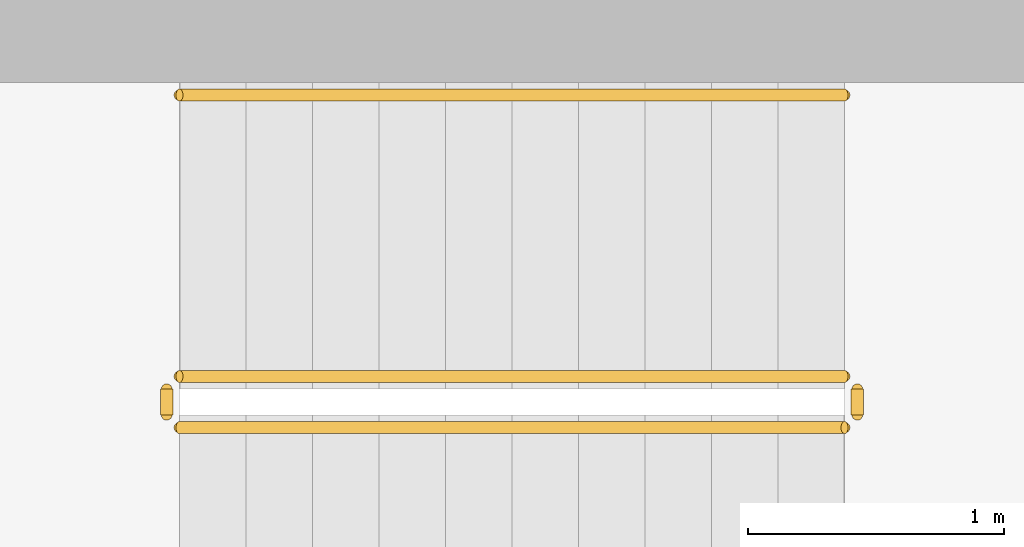
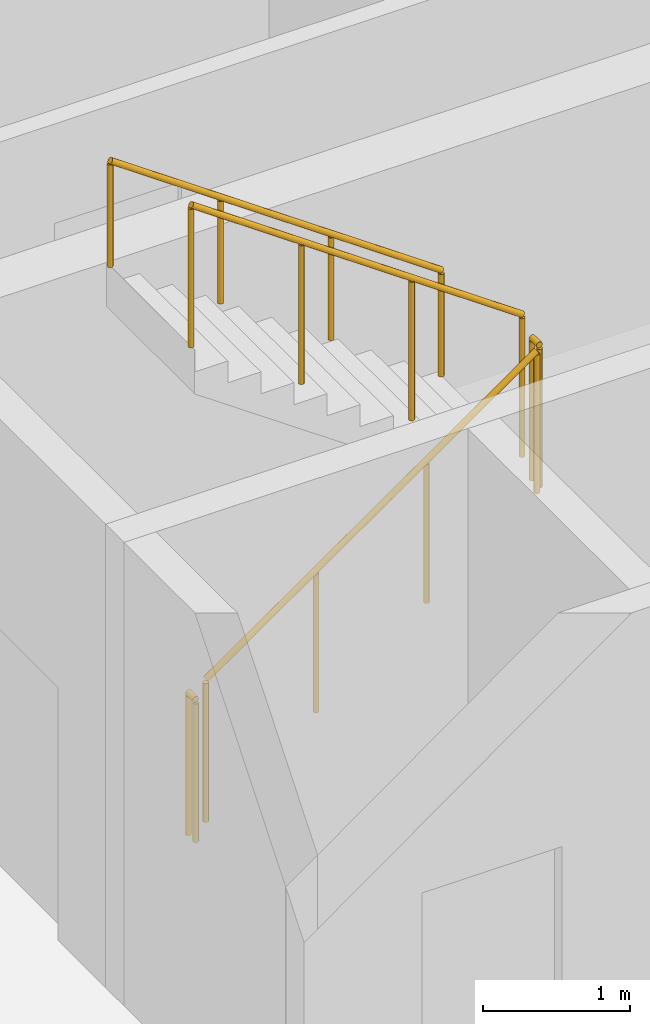
# One storey, part 16 of 20: 5 railings.
"""IFC4 building model written with IfcOpenShell, lengths in metres."""

from ifc_helpers import new_model, si_unit, direction, frame, origin, origin_2d, place, context, subcontext, project, spatial, circle, extrude, material, type_object, element, save


model = new_model("IFC4")

# Units and contexts
model_context = context("Model", 3, precision=1e-05, world=origin(), true_north=direction((0.0, 1.0)))
body_context = subcontext(model_context, "Body", "Model", "MODEL_VIEW")
ifc_project = project(units=[si_unit("LENGTHUNIT", "METRE"), si_unit("AREAUNIT", "SQUARE_METRE"), si_unit("VOLUMEUNIT", "CUBIC_METRE"), si_unit("PLANEANGLEUNIT", "RADIAN"), si_unit("MASSUNIT", "GRAM", prefix="KILO")], contexts=[model_context])

# Site, building, storey
site_placement = place(None, origin())
site = spatial("IfcSite", under=ifc_project, at=site_placement, CompositionType="ELEMENT")
building_placement = place(site_placement, origin())
building = spatial("IfcBuilding", under=site, at=building_placement, Name="Sahrelin Media Tower", CompositionType="ELEMENT")
storey_placement = place(building_placement, frame((0.0, 0.0, 213.60009765625)))
storey = spatial("IfcBuildingStorey", under=building, at=storey_placement, Name="L45", CompositionType="ELEMENT", Elevation=213.60009765625)

# Railings
ifc_material = material(Name="Steel S355", Category="steel")
railing_type_1 = type_object("IfcRailingType", Name="Stair guard 1200", PredefinedType="GUARDRAIL", material=ifc_material)
railing_1_placement = place(storey_placement, frame((-7.675048828125, 5.25, 0.181640625)))
element("IfcRailing", 1, at=railing_1_placement, inside=storey, type_object=railing_type_1, Name="L45 ST1 stair guard 1", PredefinedType="GUARDRAIL", context=body_context, shape_type="SweptSolid", body=[
    extrude(circle(Radius=0.02392578125, at=origin_2d()), frame((0.0, 0.0, 1.17578125), z_axis=(0.819484887739, 0.0, 0.573100792852), x_axis=(0.0, 1.0, 0.0)), (0.0, 0.0, 1.0), 3.1728515625),
    extrude(circle(Radius=0.02099609375, at=origin_2d()), origin(), (0.0, 0.0, 1.0), 1.15185546875),
    extrude(circle(Radius=0.02099609375, at=origin_2d()), frame((0.86669921875, 0.0, 0.606201171875)), (0.0, 0.0, 1.0), 1.15185546875),
    extrude(circle(Radius=0.02099609375, at=origin_2d()), frame((1.7333984375, 0.0, 1.212158203125)), (0.0, 0.0, 1.0), 1.15185546875),
    extrude(circle(Radius=0.02099609375, at=origin_2d()), frame((2.60009765625, 0.0, 1.818359375)), (0.0, 0.0, 1.0), 1.15185546875),
])
railing_2_placement = place(storey_placement, frame((-5.02490234375, 5.300048828125, 2.0)))
element("IfcRailing", 2, at=railing_2_placement, inside=storey, type_object=railing_type_1, Name="L45 ST1 stair guard 2", PredefinedType="GUARDRAIL", context=body_context, shape_type="SweptSolid", body=[
    extrude(circle(Radius=0.02392578125, at=origin_2d()), frame((0.0, 0.0, 1.17578125), z_axis=(0.0, 1.0, 0.0), x_axis=(-1.0, 0.0, 0.0)), (0.0, 0.0, 1.0), 0.099853515625),
    extrude(circle(Radius=0.02099609375, at=origin_2d()), origin(), (0.0, 0.0, 1.0), 1.15185546875),
    extrude(circle(Radius=0.02099609375, at=origin_2d()), frame((0.0, 0.099853515625, 0.0)), (0.0, 0.0, 1.0), 1.15185546875),
])
railing_3_placement = place(storey_placement, frame((-5.074951171875, 5.449951171875, 2.181640625)))
element("IfcRailing", 3, at=railing_3_placement, inside=storey, type_object=railing_type_1, Name="L45 ST1 stair guard 3", PredefinedType="GUARDRAIL", context=body_context, shape_type="SweptSolid", body=[
    extrude(circle(Radius=0.02392578125, at=origin_2d()), frame((0.0, 0.0, 1.17578125), z_axis=(-0.819484887739, 0.0, 0.573100792852), x_axis=(0.0, -1.0, 0.0)), (0.0, 0.0, 1.0), 3.1728515625),
    extrude(circle(Radius=0.02099609375, at=origin_2d()), origin(), (0.0, 0.0, 1.0), 1.15185546875),
    extrude(circle(Radius=0.02099609375, at=origin_2d()), frame((-0.86669921875, 0.0, 0.606201171875)), (0.0, 0.0, 1.0), 1.15185546875),
    extrude(circle(Radius=0.02099609375, at=origin_2d()), frame((-1.7333984375, 0.0, 1.212158203125)), (0.0, 0.0, 1.0), 1.15185546875),
    extrude(circle(Radius=0.02099609375, at=origin_2d()), frame((-2.60009765625, 0.0, 1.818359375)), (0.0, 0.0, 1.0), 1.15185546875),
])
railing_4_placement = place(storey_placement, frame((-7.72509765625, 5.300048828125, 0.0)))
element("IfcRailing", 4, at=railing_4_placement, inside=storey, type_object=railing_type_1, Name="L45 ST1 stair guard 4", PredefinedType="GUARDRAIL", context=body_context, shape_type="SweptSolid", body=[
    extrude(circle(Radius=0.02392578125, at=origin_2d()), frame((0.0, 0.0, 1.17578125), z_axis=(0.0, 1.0, 0.0), x_axis=(-1.0, 0.0, 0.0)), (0.0, 0.0, 1.0), 0.099853515625),
    extrude(circle(Radius=0.02099609375, at=origin_2d()), origin(), (0.0, 0.0, 1.0), 1.15185546875),
    extrude(circle(Radius=0.02099609375, at=origin_2d()), frame((0.0, 0.099853515625, 0.0)), (0.0, 0.0, 1.0), 1.15185546875),
])
railing_type_2 = type_object("IfcRailingType", Name="Stair handrail 900", PredefinedType="HANDRAIL", material=ifc_material)
railing_5_placement = place(storey_placement, frame((-5.074951171875, 6.550048828125, 2.181640625)))
element("IfcRailing", 5, at=railing_5_placement, inside=storey, type_object=railing_type_2, Name="L45 ST1 stair handrail 2", PredefinedType="HANDRAIL", context=body_context, shape_type="SweptSolid", body=[
    extrude(circle(Radius=0.02392578125, at=origin_2d()), frame((0.0, 0.0, 0.8759765625), z_axis=(-0.819484887739, 0.0, 0.573100792852), x_axis=(0.0, -1.0, 0.0)), (0.0, 0.0, 1.0), 3.1728515625),
    extrude(circle(Radius=0.02099609375, at=origin_2d()), origin(), (0.0, 0.0, 1.0), 0.851806640625),
    extrude(circle(Radius=0.02099609375, at=origin_2d()), frame((-0.86669921875, 0.0, 0.606201171875)), (0.0, 0.0, 1.0), 0.851806640625),
    extrude(circle(Radius=0.02099609375, at=origin_2d()), frame((-1.7333984375, 0.0, 1.212158203125)), (0.0, 0.0, 1.0), 0.851806640625),
    extrude(circle(Radius=0.02099609375, at=origin_2d()), frame((-2.60009765625, 0.0, 1.818359375)), (0.0, 0.0, 1.0), 0.851806640625),
])

save(model, "model.ifc")
